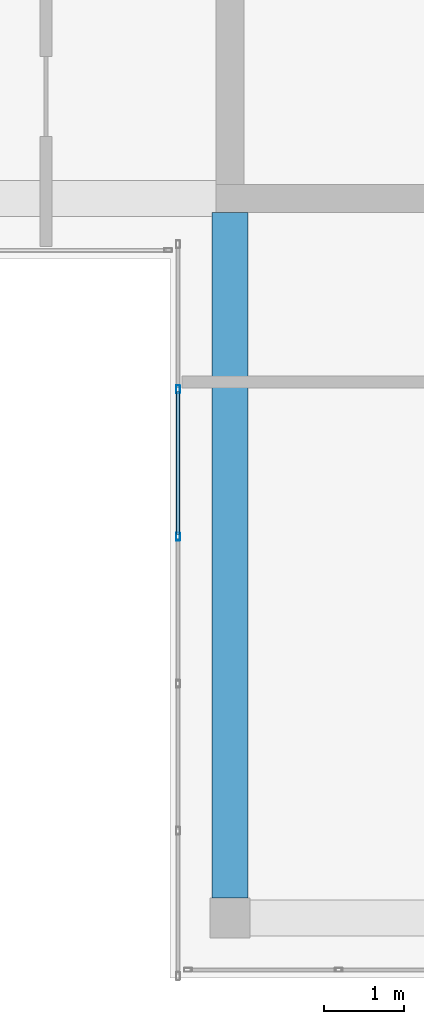
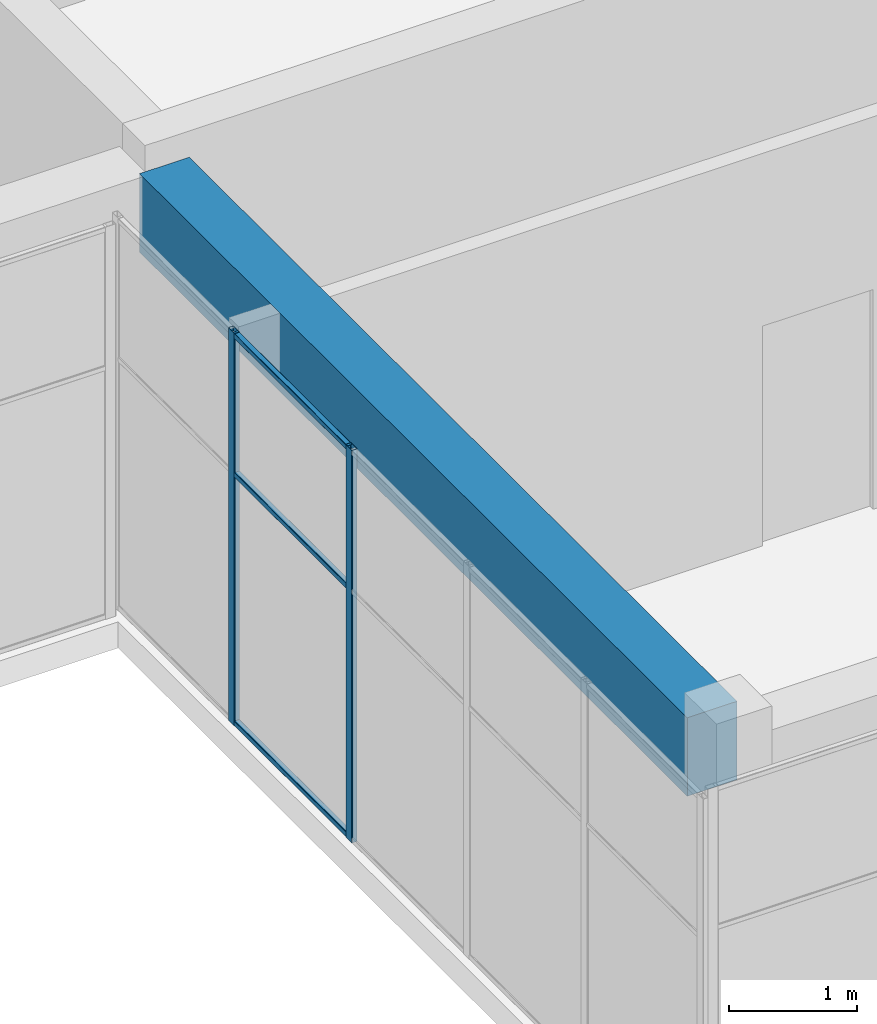
# One storey, part 3 of 34: 5 members, 1 beam, 1 element without a shape of its own.
"""IFC4 building model written with IfcOpenShell, lengths in metres."""

from ifc_helpers import new_model, si_unit, direction, frame, origin, origin_2d, place, context, subcontext, project, spatial, rectangle, hollow_rectangle, extrude, material, layer, layer_set, material_profile, profile_set, type_object, element, aggregate, save


model = new_model("IFC4")

# Units and contexts
model_context = context("Model", 3, precision=1e-05, world=origin(), true_north=direction((0.0, 1.0)))
body_context = subcontext(model_context, "Body", "Model", "MODEL_VIEW")
ifc_project = project(units=[si_unit("LENGTHUNIT", "METRE"), si_unit("AREAUNIT", "SQUARE_METRE"), si_unit("VOLUMEUNIT", "CUBIC_METRE"), si_unit("PLANEANGLEUNIT", "RADIAN"), si_unit("MASSUNIT", "GRAM", prefix="KILO")], contexts=[model_context])

# Site, building, storey
site_placement = place(None, origin())
site = spatial("IfcSite", under=ifc_project, at=site_placement, CompositionType="ELEMENT")
building_placement = place(site_placement, origin())
building = spatial("IfcBuilding", under=site, at=building_placement, Name="Tuart Plaza Theatre", CompositionType="ELEMENT")
storey_placement = place(building_placement, frame((0.0, 0.0, 57.5)))
storey = spatial("IfcBuildingStorey", under=building, at=storey_placement, Name="L14", CompositionType="ELEMENT", Elevation=57.5)

# Beam
ifc_material_1 = material(Name="Concrete N40 (40 MPa)", Category="concrete")
ifc_material_profile_1 = material_profile(ifc_material_1, rectangle(XDim=0.449951171875, YDim=0.75, at=origin_2d()), Name="BEAM 450x750 Concrete N40 (40 MPa)")
ifc_profile_set_1 = profile_set([ifc_material_profile_1], Name="Concrete N40 (40 MPa)")
beam_type = type_object("IfcBeamType", Name="BEAM 450x750 Concrete N40 (40 MPa)", PredefinedType="BEAM", material=ifc_profile_set_1)
beam_placement = place(storey_placement, frame((123.0, 56.25, 3.375), z_axis=(0.0, 1.0, 0.0), x_axis=(-1.0, 0.0, 0.0)))
element("IfcBeam", 1, at=beam_placement, inside=storey, type_object=beam_type, Name="RB327", PredefinedType="BEAM", context=body_context, shape_type="SweptSolid", body=[
    extrude(rectangle(XDim=0.449951171875, YDim=0.75, at=origin_2d()), origin(), (0.0, 0.0, 1.0), 8.574951171875),
])

# Curtain wall, members
ifc_material_2 = material(Name="Aluminium and glass", Category="aluminium")
ifc_layer = layer(ifc_material_2, 0.10009765625)
ifc_layer_set = layer_set([ifc_layer], Name="CURTAIN WALL 2000 module")
curtain_wall_type = type_object("IfcCurtainWallType", Name="CURTAIN WALL 2000 module", PredefinedType="NOTDEFINED", material=ifc_layer_set)
curtain_wall_placement = place(storey_placement, origin())
curtain_wall = element("IfcCurtainWall", 2, at=curtain_wall_placement, inside=storey, type_object=curtain_wall_type, Name="CW121", PredefinedType="NOTDEFINED")
ifc_material_3 = material(Name="Aluminium 6063-T5", Category="aluminium")
ifc_material_profile_2 = material_profile(ifc_material_3, hollow_rectangle(XDim=0.050048828125, YDim=0.10009765625, WallThickness=0.00390625, InnerFilletRadius=0.00390625, OuterFilletRadius=0.008056640625, at=origin_2d()), Name="RHS 100x50x4")
ifc_profile_set_2 = profile_set([ifc_material_profile_2], Name="Aluminium 6063-T5")
member_type_1 = type_object("IfcMemberType", Name="MULLION RHS 100x50x4", PredefinedType="MULLION", material=ifc_profile_set_2)
member_1_placement = place(storey_placement, frame((122.35009765625, 62.610107421875, 0.0), z_axis=(0.0, 0.0, 1.0), x_axis=(1.0, 0.0, 0.0)))
member_1 = element("IfcMember", 3, at=member_1_placement, type_object=member_type_1, Name="CW121 mullion 2", PredefinedType="MULLION", context=body_context, shape_type="SweptSolid", body=[
    extrude(hollow_rectangle(XDim=0.050048828125, YDim=0.10009765625, WallThickness=0.00390625, InnerFilletRadius=0.00390625, OuterFilletRadius=0.008056640625, at=origin_2d()), origin(), (0.0, 0.0, 1.0), 3.75),
])
member_2_placement = place(storey_placement, frame((122.35009765625, 60.77001953125, 0.0), z_axis=(0.0, 0.0, 1.0), x_axis=(1.0, 0.0, 0.0)))
member_2 = element("IfcMember", 4, at=member_2_placement, type_object=member_type_1, Name="CW121 mullion 3", PredefinedType="MULLION", context=body_context, shape_type="SweptSolid", body=[
    extrude(hollow_rectangle(XDim=0.050048828125, YDim=0.10009765625, WallThickness=0.00390625, InnerFilletRadius=0.00390625, OuterFilletRadius=0.008056640625, at=origin_2d()), origin(), (0.0, 0.0, 1.0), 3.75),
])
ifc_material_4 = material(Name="Aluminium 6063-T5", Category="aluminium")
ifc_material_profile_3 = material_profile(ifc_material_4, hollow_rectangle(XDim=0.050048828125, YDim=0.050048828125, WallThickness=0.00390625, InnerFilletRadius=0.00390625, OuterFilletRadius=0.008056640625, at=origin_2d()), Name="RHS 50x50x4")
ifc_profile_set_3 = profile_set([ifc_material_profile_3], Name="Aluminium 6063-T5")
member_type_2 = type_object("IfcMemberType", Name="TRANSOM RHS 50x50x4", PredefinedType="USERDEFINED", material=ifc_profile_set_3)
member_3_placement = place(storey_placement, frame((122.35009765625, 62.5849609375, 0.02490234375), z_axis=(0.0, -1.0, 0.0), x_axis=(1.0, 0.0, 0.0)))
member_3 = element("IfcMember", 5, at=member_3_placement, type_object=member_type_2, Name="CW121 transom 2.1", ObjectType="TRANSOM", PredefinedType="USERDEFINED", context=body_context, shape_type="SweptSolid", body=[
    extrude(hollow_rectangle(XDim=0.050048828125, YDim=0.050048828125, WallThickness=0.00390625, InnerFilletRadius=0.00390625, OuterFilletRadius=0.008056640625, at=origin_2d()), origin(), (0.0, 0.0, 1.0), 1.7900390625),
])
member_4_placement = place(storey_placement, frame((122.35009765625, 62.5849609375, 2.39990234375), z_axis=(0.0, -1.0, 0.0), x_axis=(1.0, 0.0, 0.0)))
member_4 = element("IfcMember", 6, at=member_4_placement, type_object=member_type_2, Name="CW121 transom 2.2", ObjectType="TRANSOM", PredefinedType="USERDEFINED", context=body_context, shape_type="SweptSolid", body=[
    extrude(hollow_rectangle(XDim=0.050048828125, YDim=0.050048828125, WallThickness=0.00390625, InnerFilletRadius=0.00390625, OuterFilletRadius=0.008056640625, at=origin_2d()), origin(), (0.0, 0.0, 1.0), 1.7900390625),
])
member_5_placement = place(storey_placement, frame((122.35009765625, 62.5849609375, 3.72509765625), z_axis=(0.0, -1.0, 0.0), x_axis=(1.0, 0.0, 0.0)))
member_5 = element("IfcMember", 7, at=member_5_placement, type_object=member_type_2, Name="CW121 transom 2.3", ObjectType="TRANSOM", PredefinedType="USERDEFINED", context=body_context, shape_type="SweptSolid", body=[
    extrude(hollow_rectangle(XDim=0.050048828125, YDim=0.050048828125, WallThickness=0.00390625, InnerFilletRadius=0.00390625, OuterFilletRadius=0.008056640625, at=origin_2d()), origin(), (0.0, 0.0, 1.0), 1.7900390625),
])
aggregate(curtain_wall, [member_1, member_2, member_3, member_4, member_5])

save(model, "model.ifc")
